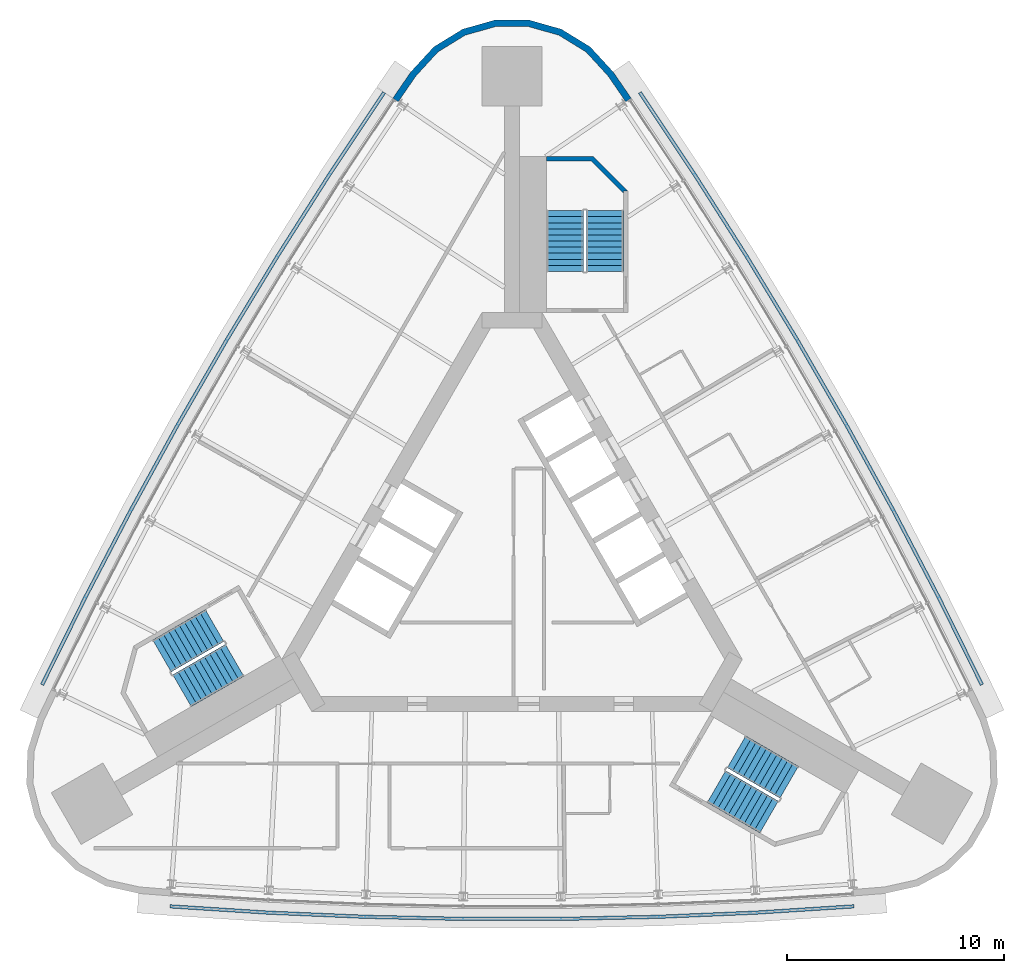
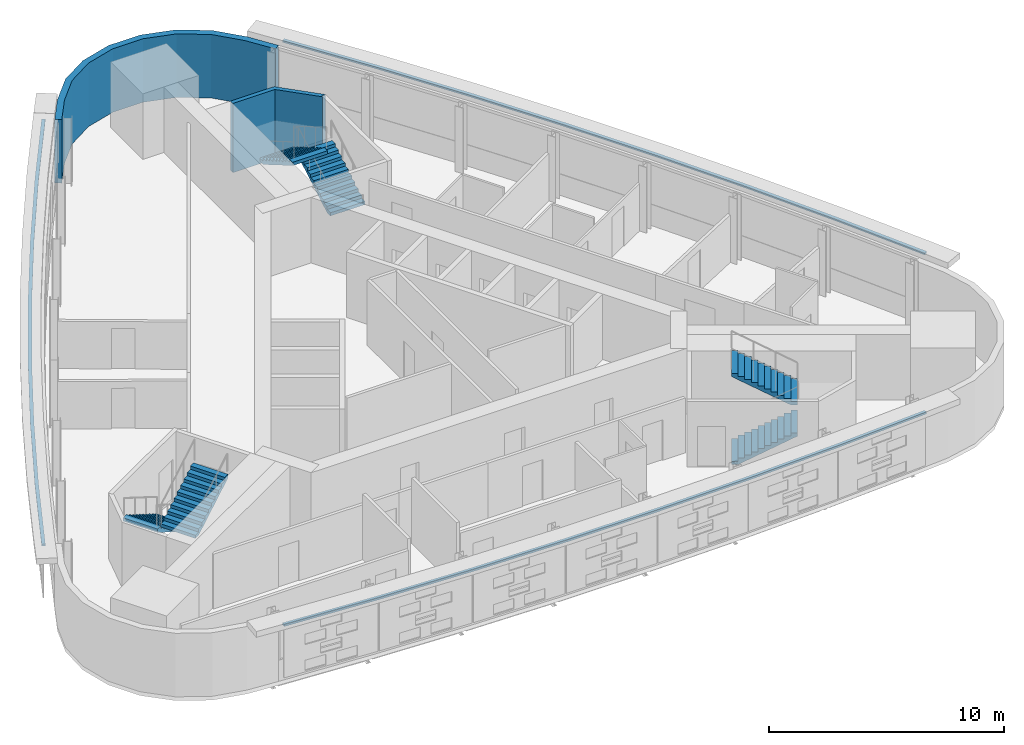
# One storey, part 10 of 12: 6 stair flights, 3 discrete accessories, 2 walls, 3 elements without a shape of their own.
"""IFC4 building model written with IfcOpenShell, lengths in metres."""

from ifc_helpers import new_model, si_unit, direction, frame, origin, place, context, subcontext, project, spatial, polyline, outline, extrude, material, layer, layer_set, type_object, element, aggregate, save


model = new_model("IFC4")

# Units and contexts
model_context = context("Model", 3, precision=1e-05, world=origin(), true_north=direction((0.0, 1.0)))
body_context = subcontext(model_context, "Body", "Model", "MODEL_VIEW")
ifc_project = project(units=[si_unit("LENGTHUNIT", "METRE"), si_unit("AREAUNIT", "SQUARE_METRE"), si_unit("VOLUMEUNIT", "CUBIC_METRE"), si_unit("PLANEANGLEUNIT", "RADIAN"), si_unit("MASSUNIT", "GRAM", prefix="KILO")], contexts=[model_context])

# Site, building, storey
site_placement = place(None, origin())
site = spatial("IfcSite", under=ifc_project, at=site_placement, CompositionType="ELEMENT")
building_placement = place(site_placement, origin())
building = spatial("IfcBuilding", under=site, at=building_placement, Name="Noor Cloister Tower", CompositionType="ELEMENT")
storey_placement = place(building_placement, frame((0.0, 0.0, 188.699951171875)))
storey = spatial("IfcBuildingStorey", under=building, at=storey_placement, Name="L48", CompositionType="ELEMENT", Elevation=188.699951171875)

# Walls
ifc_material_1 = material(Name="Limestone", Category="masonry")
ifc_layer = layer(ifc_material_1, 0.300048828125)
ifc_layer_set = layer_set([ifc_layer], Name="Limestone cladding 300")
wall_type_1 = type_object("IfcWallType", Name="Limestone cladding 300", PredefinedType="NOTDEFINED", material=ifc_layer_set)
wall_1_placement = place(storey_placement, origin())
element("IfcWall", 1, at=wall_1_placement, inside=storey, type_object=wall_type_1, Name="Limestone pier cladding L48 3.1", PredefinedType="NOTDEFINED", context=body_context, shape_type="SweptSolid", body=[
    extrude(outline(polyline([(5.494384765625, 21.341552734375), (4.659423828125, 22.556884765625), (3.60498046875, 23.70361328125), (2.278076171875, 24.52001953125), (0.779052734375, 24.9443359375), (-0.779052734375, 24.9443359375), (-2.278076171875, 24.52001953125), (-3.60498046875, 23.70361328125), (-4.659423828125, 22.556884765625), (-5.494384765625, 21.341552734375), (-5.2470703125, 21.171875), (-4.424072265625, 22.369384765625), (-3.412353515625, 23.469970703125), (-2.15625, 24.24267578125), (-0.7373046875, 24.644287109375), (0.7373046875, 24.644287109375), (2.15625, 24.24267578125), (3.412353515625, 23.469970703125), (4.424072265625, 22.369384765625), (5.2470703125, 21.171875), (5.494384765625, 21.341552734375)])), origin(), (0.0, 0.0, 1.0), 3.300048828125),
])
ifc_material_2 = material(Name="Concrete C70/85", Category="concrete")
wall_type_2 = type_object("IfcWallType", Name="Stair far end wall C70/85", PredefinedType="SHEAR", material=ifc_material_2)
wall_2_placement = place(storey_placement, frame((0.0, 0.0, -0.199951171875)))
element("IfcWall", 2, at=wall_2_placement, inside=storey, type_object=wall_type_2, Name="Stair enclosure wall ST1 L48 far end", PredefinedType="SHEAR", context=body_context, shape_type="SweptSolid", body=[
    extrude(outline(polyline([(5.335693359375, 17.056396484375), (3.735595703125, 18.656494140625), (1.585693359375, 18.656494140625), (1.585693359375, 18.456298828125), (3.65283203125, 18.456298828125), (5.135498046875, 16.9736328125), (5.135498046875, 17.056396484375), (5.135498046875, 17.056396484375), (5.135498046875, 17.056396484375), (5.135498046875, 17.056396484375), (5.135498046875, 17.056396484375), (5.135498046875, 17.056396484375), (5.135498046875, 17.056396484375), (5.135498046875, 17.056396484375), (5.135498046875, 17.056396484375), (5.135498046875, 17.056396484375), (5.135498046875, 17.056396484375), (5.135498046875, 17.056396484375), (5.135498046875, 17.056396484375), (5.135498046875, 17.056396484375), (5.135498046875, 17.056396484375), (5.135498046875, 17.056396484375), (5.135498046875, 17.056396484375), (5.335693359375, 17.056396484375)])), origin(), (0.0, 0.0, 1.0), 3.60009765625),
])

# Stair, stair flights
ifc_material_3 = material(Name="Concrete C40/50", Category="concrete")
stair_type = type_object("IfcStairType", Name="Exit stair 22 risers", PredefinedType="HALF_TURN_STAIR", material=ifc_material_3)
stair_1_placement = place(storey_placement, origin())
stair_1 = element("IfcStair", 3, at=stair_1_placement, inside=storey, type_object=stair_type, Name="Exit stair ST1 L48", PredefinedType="HALF_TURN_STAIR")
ifc_material_4 = material(Name="Concrete C40/50", Category="concrete")
stair_flight_type = type_object("IfcStairFlightType", Name="Exit stair flight", PredefinedType="STRAIGHT", material=ifc_material_4)
stair_flight_1_placement = place(storey_placement, frame((4.28564453125, 13.3564453125, 0.0), z_axis=(0.0, 0.0, 1.0), x_axis=(0.0, 1.0, 0.0)))
stair_flight_1 = element("IfcStairFlight", 4, at=stair_flight_1_placement, type_object=stair_flight_type, Name="ST1 flight 1", NumberOfRisers=11, NumberOfTreads=10, PredefinedType="STRAIGHT", RiserHeight=0.163636364, TreadLength=0.28, context=body_context, shape_type="SweptSolid", body=[
    extrude(outline(polyline([(0.0, 0.0), (0.0, 0.16357421875), (0.280029296875, 0.16357421875), (0.280029296875, 0.327392578125), (0.56005859375, 0.327392578125), (0.56005859375, 0.490966796875), (0.840087890625, 0.490966796875), (0.840087890625, 0.654541015625), (1.1201171875, 0.654541015625), (1.1201171875, 0.818115234375), (1.39990234375, 0.818115234375), (1.39990234375, 0.98193359375), (1.679931640625, 0.98193359375), (1.679931640625, 1.1455078125), (1.9599609375, 1.1455078125), (1.9599609375, 1.30908203125), (2.239990234375, 1.30908203125), (2.239990234375, 1.47265625), (2.52001953125, 1.47265625), (2.52001953125, 1.636474609375), (2.800048828125, 1.636474609375), (2.800048828125, 1.800048828125), (2.800048828125, 1.462646484375), (0.297119140625, 0.0), (0.0, 0.0)])), frame((0.0, 0.85009765625, 0.0), z_axis=(0.0, -1.0, 0.0), x_axis=(1.0, 0.0, 0.0)), (0.0, 0.0, 1.0), 1.699951171875),
])
stair_flight_2_placement = place(storey_placement, frame((2.435546875, 16.156494140625, 1.800048828125), z_axis=(0.0, 0.0, 1.0), x_axis=(0.0, -1.0, 0.0)))
stair_flight_2 = element("IfcStairFlight", 5, at=stair_flight_2_placement, type_object=stair_flight_type, Name="ST1 flight 2", NumberOfRisers=11, NumberOfTreads=10, PredefinedType="STRAIGHT", RiserHeight=0.163636364, TreadLength=0.28, context=body_context, shape_type="SweptSolid", body=[
    extrude(outline(polyline([(0.0, 0.0), (0.0, 0.16357421875), (0.280029296875, 0.16357421875), (0.280029296875, 0.327392578125), (0.56005859375, 0.327392578125), (0.56005859375, 0.490966796875), (0.840087890625, 0.490966796875), (0.840087890625, 0.654541015625), (1.1201171875, 0.654541015625), (1.1201171875, 0.818115234375), (1.39990234375, 0.818115234375), (1.39990234375, 0.98193359375), (1.679931640625, 0.98193359375), (1.679931640625, 1.1455078125), (1.9599609375, 1.1455078125), (1.9599609375, 1.30908203125), (2.239990234375, 1.30908203125), (2.239990234375, 1.47265625), (2.52001953125, 1.47265625), (2.52001953125, 1.636474609375), (2.800048828125, 1.636474609375), (2.800048828125, 1.800048828125), (2.800048828125, 1.462646484375), (0.297119140625, 0.0), (0.0, 0.0)])), frame((0.0, 0.85009765625, 0.0), z_axis=(0.0, -1.0, 0.0), x_axis=(1.0, 0.0, 0.0)), (0.0, 0.0, 1.0), 1.699951171875),
])
aggregate(stair_1, [stair_flight_1, stair_flight_2])

stair_2_placement = place(storey_placement, origin())
stair_2 = element("IfcStair", 6, at=stair_2_placement, inside=storey, type_object=stair_type, Name="Exit stair ST2 L48", PredefinedType="HALF_TURN_STAIR")
stair_flight_3_placement = place(storey_placement, frame((-13.709716796875, -2.966796875, 0.0), z_axis=(0.0, 0.0, 1.0), x_axis=(-0.866025403784, -0.5, 0.0)))
stair_flight_3 = element("IfcStairFlight", 7, at=stair_flight_3_placement, type_object=stair_flight_type, Name="ST2 flight 1", NumberOfRisers=11, NumberOfTreads=10, PredefinedType="STRAIGHT", RiserHeight=0.163636364, TreadLength=0.28, context=body_context, shape_type="SweptSolid", body=[
    extrude(outline(polyline([(0.0, 0.0), (0.0, 0.16357421875), (0.280029296875, 0.16357421875), (0.280029296875, 0.327392578125), (0.56005859375, 0.327392578125), (0.56005859375, 0.490966796875), (0.840087890625, 0.490966796875), (0.840087890625, 0.654541015625), (1.1201171875, 0.654541015625), (1.1201171875, 0.818115234375), (1.39990234375, 0.818115234375), (1.39990234375, 0.98193359375), (1.679931640625, 0.98193359375), (1.679931640625, 1.1455078125), (1.9599609375, 1.1455078125), (1.9599609375, 1.30908203125), (2.239990234375, 1.30908203125), (2.239990234375, 1.47265625), (2.52001953125, 1.47265625), (2.52001953125, 1.636474609375), (2.800048828125, 1.636474609375), (2.800048828125, 1.800048828125), (2.800048828125, 1.462646484375), (0.297119140625, 0.0), (0.0, 0.0)])), frame((0.0, 0.85009765625, 0.0), z_axis=(0.0, -1.0, 0.0), x_axis=(1.0, 0.0, 0.0)), (0.0, 0.0, 1.0), 1.699951171875),
])
stair_flight_4_placement = place(storey_placement, frame((-15.209716796875, -5.968994140625, 1.800048828125), z_axis=(0.0, 0.0, 1.0), x_axis=(0.866025403784, 0.5, 0.0)))
stair_flight_4 = element("IfcStairFlight", 8, at=stair_flight_4_placement, type_object=stair_flight_type, Name="ST2 flight 2", NumberOfRisers=11, NumberOfTreads=10, PredefinedType="STRAIGHT", RiserHeight=0.163636364, TreadLength=0.28, context=body_context, shape_type="SweptSolid", body=[
    extrude(outline(polyline([(0.0, 0.0), (0.0, 0.16357421875), (0.280029296875, 0.16357421875), (0.280029296875, 0.327392578125), (0.56005859375, 0.327392578125), (0.56005859375, 0.490966796875), (0.840087890625, 0.490966796875), (0.840087890625, 0.654541015625), (1.1201171875, 0.654541015625), (1.1201171875, 0.818115234375), (1.39990234375, 0.818115234375), (1.39990234375, 0.98193359375), (1.679931640625, 0.98193359375), (1.679931640625, 1.1455078125), (1.9599609375, 1.1455078125), (1.9599609375, 1.30908203125), (2.239990234375, 1.30908203125), (2.239990234375, 1.47265625), (2.52001953125, 1.47265625), (2.52001953125, 1.636474609375), (2.800048828125, 1.636474609375), (2.800048828125, 1.800048828125), (2.800048828125, 1.462646484375), (0.297119140625, 0.0), (0.0, 0.0)])), frame((0.0, 0.85009765625, 0.0), z_axis=(0.0, -1.0, 0.0), x_axis=(1.0, 0.0, 0.0)), (0.0, 0.0, 1.0), 1.699951171875),
])
aggregate(stair_2, [stair_flight_3, stair_flight_4])

stair_3_placement = place(storey_placement, origin())
stair_3 = element("IfcStair", 9, at=stair_3_placement, inside=storey, type_object=stair_type, Name="Exit stair ST3 L48", PredefinedType="HALF_TURN_STAIR")
stair_flight_5_placement = place(storey_placement, frame((9.424072265625, -10.3896484375, 0.0), z_axis=(0.0, 0.0, 1.0), x_axis=(0.866025403784, -0.5, 0.0)))
stair_flight_5 = element("IfcStairFlight", 10, at=stair_flight_5_placement, type_object=stair_flight_type, Name="ST3 flight 1", NumberOfRisers=11, NumberOfTreads=10, PredefinedType="STRAIGHT", RiserHeight=0.163636364, TreadLength=0.28, context=body_context, shape_type="SweptSolid", body=[
    extrude(outline(polyline([(0.0, 0.0), (0.0, 0.16357421875), (0.280029296875, 0.16357421875), (0.280029296875, 0.327392578125), (0.56005859375, 0.327392578125), (0.56005859375, 0.490966796875), (0.840087890625, 0.490966796875), (0.840087890625, 0.654541015625), (1.1201171875, 0.654541015625), (1.1201171875, 0.818115234375), (1.39990234375, 0.818115234375), (1.39990234375, 0.98193359375), (1.679931640625, 0.98193359375), (1.679931640625, 1.1455078125), (1.9599609375, 1.1455078125), (1.9599609375, 1.30908203125), (2.239990234375, 1.30908203125), (2.239990234375, 1.47265625), (2.52001953125, 1.47265625), (2.52001953125, 1.636474609375), (2.800048828125, 1.636474609375), (2.800048828125, 1.800048828125), (2.800048828125, 1.462646484375), (0.297119140625, 0.0), (0.0, 0.0)])), frame((0.0, 0.85009765625, 0.0), z_axis=(0.0, -1.0, 0.0), x_axis=(1.0, 0.0, 0.0)), (0.0, 0.0, 1.0), 1.699951171875),
])
stair_flight_6_placement = place(storey_placement, frame((12.77392578125, -10.1875, 1.800048828125), z_axis=(0.0, 0.0, 1.0), x_axis=(-0.866025403784, 0.5, 0.0)))
stair_flight_6 = element("IfcStairFlight", 11, at=stair_flight_6_placement, type_object=stair_flight_type, Name="ST3 flight 2", NumberOfRisers=11, NumberOfTreads=10, PredefinedType="STRAIGHT", RiserHeight=0.163636364, TreadLength=0.28, context=body_context, shape_type="SweptSolid", body=[
    extrude(outline(polyline([(0.0, 0.0), (0.0, 0.16357421875), (0.280029296875, 0.16357421875), (0.280029296875, 0.327392578125), (0.56005859375, 0.327392578125), (0.56005859375, 0.490966796875), (0.840087890625, 0.490966796875), (0.840087890625, 0.654541015625), (1.1201171875, 0.654541015625), (1.1201171875, 0.818115234375), (1.39990234375, 0.818115234375), (1.39990234375, 0.98193359375), (1.679931640625, 0.98193359375), (1.679931640625, 1.1455078125), (1.9599609375, 1.1455078125), (1.9599609375, 1.30908203125), (2.239990234375, 1.30908203125), (2.239990234375, 1.47265625), (2.52001953125, 1.47265625), (2.52001953125, 1.636474609375), (2.800048828125, 1.636474609375), (2.800048828125, 1.800048828125), (2.800048828125, 1.462646484375), (0.297119140625, 0.0), (0.0, 0.0)])), frame((0.0, 0.85009765625, 0.0), z_axis=(0.0, -1.0, 0.0), x_axis=(1.0, 0.0, 0.0)), (0.0, 0.0, 1.0), 1.699951171875),
])
aggregate(stair_3, [stair_flight_5, stair_flight_6])

# Discrete accessories
ifc_material_5 = material(Name="Stainless steel grade 316", Category="steel")
discrete_accessory_type = type_object("IfcDiscreteAccessoryType", Name="Stainless hanger rail", PredefinedType="BRACKET", material=ifc_material_5)
discrete_accessory_1_placement = place(storey_placement, frame((0.0, 0.0, 3.199951171875)))
element("IfcDiscreteAccessory", 12, at=discrete_accessory_1_placement, inside=storey, type_object=discrete_accessory_type, Name="Hanger rail L48", PredefinedType="BRACKET", context=body_context, shape_type="SweptSolid", body=[
    extrude(outline(polyline([(-5.960205078125, 21.652099609375), (-8.458984375, 17.902587890625), (-10.880126953125, 14.095458984375), (-13.21923828125, 10.237060546875), (-15.475341796875, 6.32958984375), (-17.64697265625, 2.374755859375), (-19.733642578125, -1.62548828125), (-21.7314453125, -5.664306640625), (-21.588134765625, -5.7353515625), (-19.591064453125, -1.697998046875), (-17.505859375, 2.29931640625), (-15.3359375, 6.251220703125), (-13.08154296875, 10.155517578125), (-10.744384765625, 14.010986328125), (-8.324951171875, 17.8154296875), (-5.8271484375, 21.5634765625), (-5.960205078125, 21.652099609375)])), origin(), (0.0, 0.0, 1.0), 0.10009765625),
])
discrete_accessory_2_placement = place(storey_placement, frame((0.0, 0.0, 3.199951171875)))
element("IfcDiscreteAccessory", 13, at=discrete_accessory_2_placement, inside=storey, type_object=discrete_accessory_type, Name="Hanger rail L48", PredefinedType="BRACKET", context=body_context, shape_type="SweptSolid", body=[
    extrude(outline(polyline([(-15.771240234375, -15.98779296875), (-11.274658203125, -16.277099609375), (-6.766845703125, -16.47021484375), (-2.255859375, -16.56689453125), (2.255859375, -16.56689453125), (6.766845703125, -16.47021484375), (11.274658203125, -16.277099609375), (15.771240234375, -15.98779296875), (15.760986328125, -15.828125), (11.26611328125, -16.1171875), (6.76171875, -16.310302734375), (2.254150390625, -16.40673828125), (-2.254150390625, -16.40673828125), (-6.76171875, -16.310302734375), (-11.26611328125, -16.1171875), (-15.760986328125, -15.828125), (-15.771240234375, -15.98779296875)])), origin(), (0.0, 0.0, 1.0), 0.10009765625),
])
discrete_accessory_3_placement = place(storey_placement, frame((0.0, 0.0, 3.199951171875)))
element("IfcDiscreteAccessory", 14, at=discrete_accessory_3_placement, inside=storey, type_object=discrete_accessory_type, Name="Hanger rail L48", PredefinedType="BRACKET", context=body_context, shape_type="SweptSolid", body=[
    extrude(outline(polyline([(21.7314453125, -5.664306640625), (19.733642578125, -1.62548828125), (17.64697265625, 2.374755859375), (15.475341796875, 6.32958984375), (13.21923828125, 10.237060546875), (10.880126953125, 14.095458984375), (8.458984375, 17.902587890625), (5.960205078125, 21.652099609375), (5.8271484375, 21.5634765625), (8.324951171875, 17.8154296875), (10.744384765625, 14.010986328125), (13.08154296875, 10.155517578125), (15.3359375, 6.251220703125), (17.505859375, 2.29931640625), (19.591064453125, -1.697998046875), (21.588134765625, -5.7353515625), (21.7314453125, -5.664306640625)])), origin(), (0.0, 0.0, 1.0), 0.10009765625),
])

save(model, "model.ifc")
